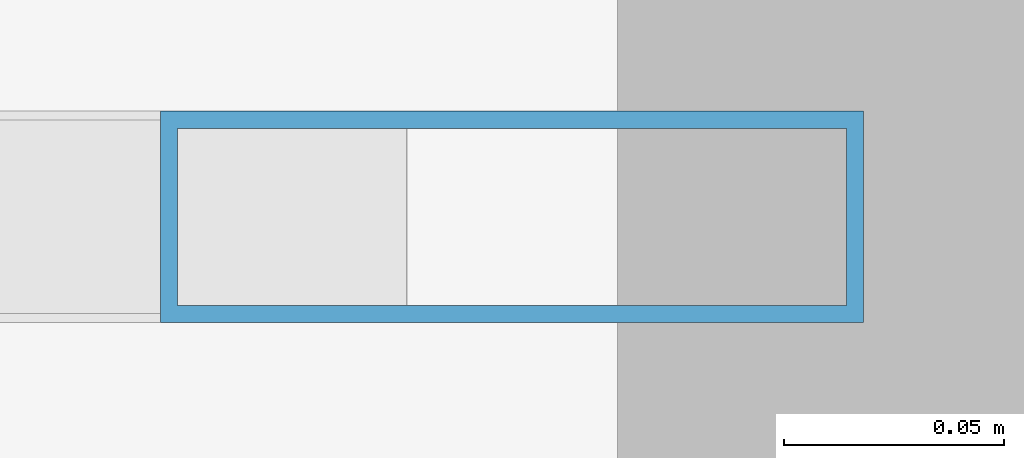
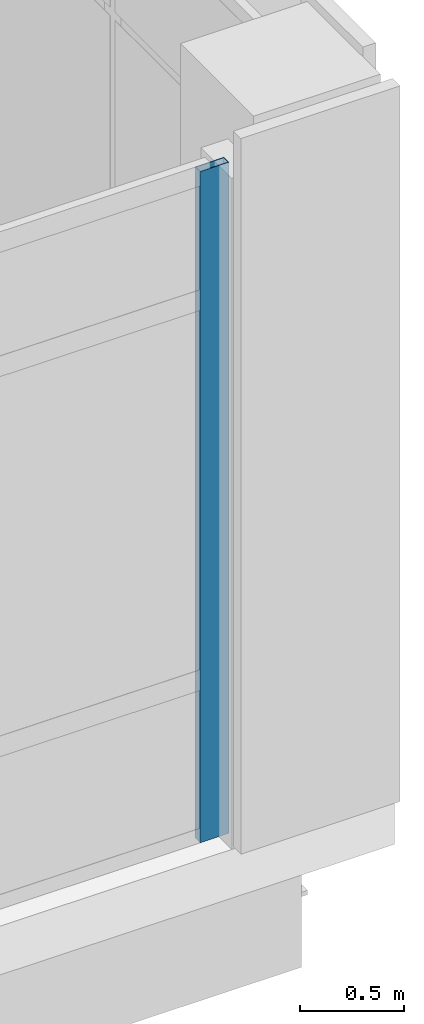
# One storey, part 100 of 165: 1 member, 1 element without a shape of its own.
"""IFC4 building model written with IfcOpenShell, lengths in metres."""

from ifc_helpers import new_model, si_unit, direction, frame, origin, origin_2d, place, context, subcontext, project, spatial, hollow_rectangle, extrude, material, layer, layer_set, material_profile, profile_set, type_object, element, aggregate, save


model = new_model("IFC4")

# Units and contexts
model_context = context("Model", 3, precision=1e-05, world=origin(), true_north=direction((0.0, 1.0)))
body_context = subcontext(model_context, "Body", "Model", "MODEL_VIEW")
ifc_project = project(units=[si_unit("LENGTHUNIT", "METRE"), si_unit("AREAUNIT", "SQUARE_METRE"), si_unit("VOLUMEUNIT", "CUBIC_METRE"), si_unit("PLANEANGLEUNIT", "RADIAN"), si_unit("MASSUNIT", "GRAM", prefix="KILO")], contexts=[model_context])

# Site, building, storey
site_placement = place(None, origin())
site = spatial("IfcSite", under=ifc_project, at=site_placement, CompositionType="ELEMENT")
building_placement = place(site_placement, origin())
building = spatial("IfcBuilding", under=site, at=building_placement, Name="Qalavern Law Courts", CompositionType="ELEMENT")
storey_placement = place(building_placement, frame((0.0, 0.0, 14.39990234375)))
storey = spatial("IfcBuildingStorey", under=building, at=storey_placement, Name="L03", CompositionType="ELEMENT", Elevation=14.39990234375)

# Curtain wall, member
ifc_material_1 = material(Name="Anodised aluminium and insulated glazing", Category="aluminium")
ifc_layer = layer(ifc_material_1, 0.166015625)
ifc_layer_set = layer_set([ifc_layer], Name="Anodised aluminium and insulated glazing")
curtain_wall_type = type_object("IfcCurtainWallType", Name="ENV-CW-LIB", PredefinedType="USERDEFINED", material=ifc_layer_set)
curtain_wall_placement = place(storey_placement, origin())
curtain_wall = element("IfcCurtainWall", 1, at=curtain_wall_placement, inside=storey, type_object=curtain_wall_type, Name="V5 unitised curtain wall L03 south 6", ObjectType="UNITISED CURTAIN WALL", PredefinedType="USERDEFINED")
ifc_material_2 = material(Name="Anodised aluminium", Category="aluminium")
ifc_material_profile = material_profile(ifc_material_2, hollow_rectangle(XDim=0.048095703125, YDim=0.159912109375, WallThickness=0.00390625, at=origin_2d()), Name="ALU MULLION 48x160")
ifc_profile_set = profile_set([ifc_material_profile], Name="Anodised aluminium")
member_type = type_object("IfcMemberType", Name="ENV-CWM-48x160", PredefinedType="MULLION", material=ifc_profile_set)
member_placement = place(storey_placement, frame((65.8759765625, 96.347412109375, 0.0), z_axis=(0.0, 0.0, 1.0), x_axis=(0.0, 1.0, 0.0)))
member = element("IfcMember", 2, at=member_placement, type_object=member_type, Name="CW-05 mullion 6", PredefinedType="MULLION", context=body_context, shape_type="SweptSolid", body=[
    extrude(hollow_rectangle(XDim=0.048095703125, YDim=0.159912109375, WallThickness=0.00390625, at=origin_2d()), origin(), (0.0, 0.0, 1.0), 3.920166015625),
])
aggregate(curtain_wall, [member])

save(model, "model.ifc")
